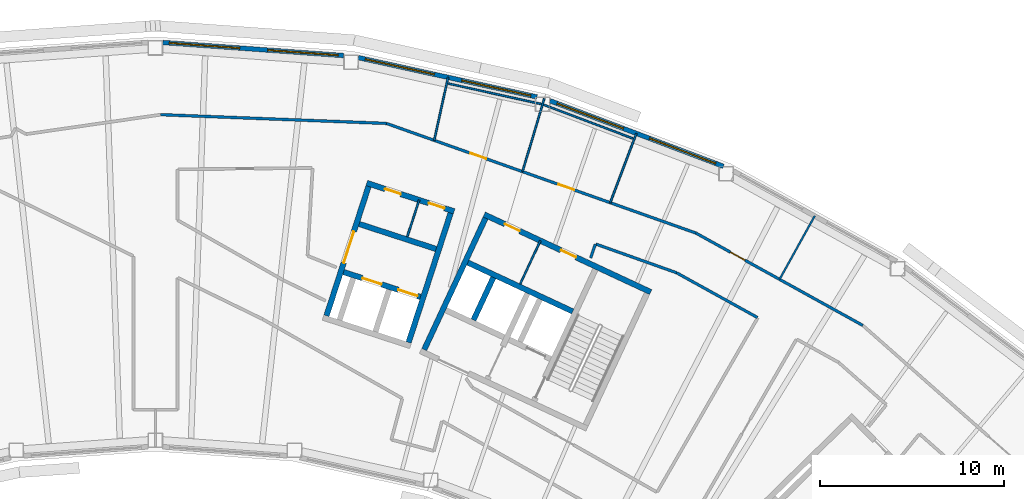
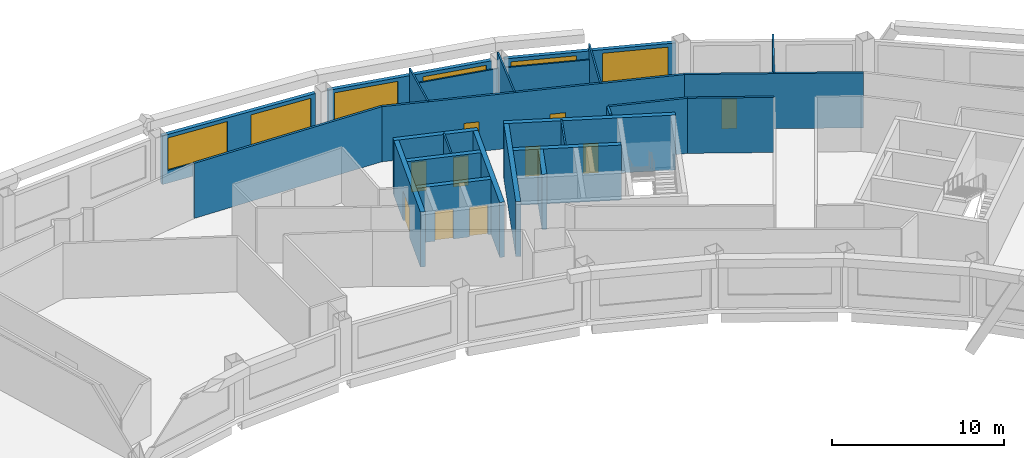
# One storey, part 10 of 13: 26 walls, 10 doors, 6 windows, 16 openings.
"""IFC4 building model written with IfcOpenShell, lengths in metres."""

from ifc_helpers import new_model, si_unit, direction, frame, frame_2d, origin, place, context, subcontext, project, spatial, rectangle, extrude, material, layer, layer_set, type_object, element, fill, save


model = new_model("IFC4")

# Units and contexts
model_context = context("Model", 3, precision=1e-05, world=origin(), true_north=direction((0.0, 1.0)))
body_context = subcontext(model_context, "Body", "Model", "MODEL_VIEW")
ifc_project = project(units=[si_unit("LENGTHUNIT", "METRE"), si_unit("AREAUNIT", "SQUARE_METRE"), si_unit("VOLUMEUNIT", "CUBIC_METRE"), si_unit("PLANEANGLEUNIT", "RADIAN"), si_unit("MASSUNIT", "GRAM", prefix="KILO")], contexts=[model_context])

# Site, building, storey
site_placement = place(None, origin())
site = spatial("IfcSite", under=ifc_project, at=site_placement, CompositionType="ELEMENT")
building_placement = place(site_placement, origin())
building = spatial("IfcBuilding", under=site, at=building_placement, Name="Tuul Gate Civic Tower", CompositionType="ELEMENT")
storey_placement = place(building_placement, frame((0.0, 0.0, 252.60009765625)))
storey = spatial("IfcBuildingStorey", under=building, at=storey_placement, Name="Level 57", CompositionType="ELEMENT", Elevation=252.60009765625)

# Wall
ifc_material_1 = material(Name="Concrete C50/60", Category="concrete")
ifc_layer_1 = layer(ifc_material_1, 0.300048828125)
ifc_layer_set_1 = layer_set([ifc_layer_1], Name="Concrete C50/60")
wall_type_1 = type_object("IfcWallType", Name="Core wall C50/60", PredefinedType="SHEAR", material=ifc_layer_set_1)
wall_1_placement = place(storey_placement, frame((33.75, -0.873779296875, 0.0), z_axis=(0.0, 0.0, 1.0), x_axis=(-0.906300917592, 0.422632992999, 0.0)))
element("IfcWall", 1, at=wall_1_placement, inside=storey, type_object=wall_type_1, Name="Core wall", PredefinedType="SHEAR", context=body_context, shape_type="SweptSolid", body=[
    extrude(rectangle(XDim=6.300048828125, YDim=0.300048828125, at=frame_2d((3.14990234375, 0.0))), origin(), (0.0, 0.0, 1.0), 3.89990234375),
])

# Wall, openings, doors
wall_2_placement = place(storey_placement, frame((37.993408203125, 0.181884765625, 0.0), z_axis=(0.0, 0.0, 1.0), x_axis=(-0.906310338845, 0.422612789327, 0.0)))
wall_2 = element("IfcWall", 2, at=wall_2_placement, inside=storey, type_object=wall_type_1, Name="Core wall", PredefinedType="SHEAR", context=body_context, shape_type="SweptSolid", body=[
    extrude(rectangle(XDim=9.999755859375, YDim=0.300048828125, at=frame_2d((5.0, 0.0))), origin(), (0.0, 0.0, 1.0), 3.89990234375),
])
opening_1_placement = place(wall_2_placement, frame((4.487548828125, 0.0, 0.0)))
opening_1 = element("IfcOpeningElement", 3, at=opening_1_placement, cuts=wall_2, Name="Opening U-D19", PredefinedType="OPENING", context=body_context, shape_type="SweptSolid", body=[
    extrude(rectangle(XDim=0.89990234375, YDim=2.10009765625, at=frame_2d((0.449951171875, 1.050048828125))), frame((0.0, 0.16015625, 0.0), z_axis=(0.0, -1.0, 0.0), x_axis=(1.0, 0.0, 0.0)), (0.0, 0.0, 1.0), 0.320068359375),
])
opening_2_placement = place(wall_2_placement, frame((7.862548828125, 0.0, 0.0)))
opening_2 = element("IfcOpeningElement", 4, at=opening_2_placement, cuts=wall_2, Name="Opening U-D20", PredefinedType="OPENING", context=body_context, shape_type="SweptSolid", body=[
    extrude(rectangle(XDim=0.89990234375, YDim=2.10009765625, at=frame_2d((0.449951171875, 1.050048828125))), frame((0.0, 0.16015625, 0.0), z_axis=(0.0, -1.0, 0.0), x_axis=(1.0, 0.0, 0.0)), (0.0, 0.0, 1.0), 0.320068359375),
])
ifc_material_2 = material(Name="Timber door leaf", Category="wood")
door_type_1 = type_object("IfcDoorType", Name="Door D09", OperationType="NOTDEFINED", PredefinedType="DOOR", material=ifc_material_2)
door_1_placement = place(opening_1_placement, origin())
door_1 = element("IfcDoor", 5, at=door_1_placement, inside=storey, type_object=door_type_1, Name="Door U-D19", OperationType="SINGLE_SWING_LEFT", OverallHeight=2.10009765625, OverallWidth=0.89990234375, PredefinedType="DOOR", context=body_context, shape_type="SweptSolid", body=[
    extrude(rectangle(XDim=0.89990234375, YDim=2.10009765625, at=frame_2d((0.449951171875, 1.050048828125))), frame((0.0, 0.02490234375, 0.0), z_axis=(0.0, -1.0, 0.0), x_axis=(1.0, 0.0, 0.0)), (0.0, 0.0, 1.0), 0.050048828125),
])
fill(opening_1, door_1)
door_2_placement = place(opening_2_placement, origin())
door_2 = element("IfcDoor", 6, at=door_2_placement, inside=storey, type_object=door_type_1, Name="Door U-D20", OperationType="SINGLE_SWING_RIGHT", OverallHeight=2.10009765625, OverallWidth=0.89990234375, PredefinedType="DOOR", context=body_context, shape_type="SweptSolid", body=[
    extrude(rectangle(XDim=0.89990234375, YDim=2.10009765625, at=frame_2d((0.449951171875, 1.050048828125))), frame((0.0, 0.02490234375, 0.0), z_axis=(0.0, -1.0, 0.0), x_axis=(1.0, 0.0, 0.0)), (0.0, 0.0, 1.0), 0.050048828125),
])
fill(opening_2, door_2)

# Walls
wall_3_placement = place(storey_placement, frame((28.349365234375, -1.33447265625, 0.0), z_axis=(0.0, 0.0, 1.0), x_axis=(0.422612891016, 0.906310291427, 0.0)))
element("IfcWall", 7, at=wall_3_placement, inside=storey, type_object=wall_type_1, Name="Core wall", PredefinedType="SHEAR", context=body_context, shape_type="SweptSolid", body=[
    extrude(rectangle(XDim=2.550048828125, YDim=0.300048828125, at=frame_2d((1.27490234375, 0.0))), origin(), (0.0, 0.0, 1.0), 3.89990234375),
])
wall_4_placement = place(storey_placement, frame((25.66455078125, -2.951416015625, 0.0), z_axis=(0.0, 0.0, 1.0), x_axis=(0.422582604137, 0.906324413596, 0.0)))
element("IfcWall", 8, at=wall_4_placement, inside=storey, type_object=wall_type_1, Name="Core wall", PredefinedType="SHEAR", context=body_context, shape_type="SweptSolid", body=[
    extrude(rectangle(XDim=7.89990234375, YDim=0.300048828125, at=frame_2d((3.949951171875, 0.0))), origin(), (0.0, 0.0, 1.0), 3.89990234375),
])

# Wall, opening, door
ifc_material_3 = material(Name="Gypsum board partition")
ifc_layer_2 = layer(ifc_material_3, 0.14990234375)
ifc_layer_set_2 = layer_set([ifc_layer_2], Name="Gypsum board partition")
wall_type_2 = type_object("IfcWallType", Name="Corridor wall P150", PredefinedType="PARTITIONING", material=ifc_layer_set_2)
wall_5_placement = place(storey_placement, frame((40.45458984375, 3.396240234375, 0.0), z_axis=(0.0, 0.0, 1.0), x_axis=(0.874957959381, -0.484198894376, 0.0)))
wall_5 = element("IfcWall", 9, at=wall_5_placement, inside=storey, type_object=wall_type_2, Name="p004", PredefinedType="PARTITIONING", context=body_context, shape_type="SweptSolid", body=[
    extrude(rectangle(XDim=10.38330078125, YDim=0.14990234375, at=frame_2d((5.191650390625, 0.0))), origin(), (0.0, 0.0, 1.0), 3.89990234375),
])
opening_3_placement = place(wall_5_placement, frame((2.1533203125, 0.0, 0.0)))
opening_3 = element("IfcOpeningElement", 10, at=opening_3_placement, cuts=wall_5, Name="Opening U-D02", PredefinedType="OPENING", context=body_context, shape_type="SweptSolid", body=[
    extrude(rectangle(XDim=0.89990234375, YDim=2.10009765625, at=frame_2d((0.449951171875, 1.050048828125))), frame((0.0, 0.0849609375, 0.0), z_axis=(0.0, -1.0, 0.0), x_axis=(1.0, 0.0, 0.0)), (0.0, 0.0, 1.0), 0.169921875),
])
door_3_placement = place(opening_3_placement, origin())
door_3 = element("IfcDoor", 11, at=door_3_placement, inside=storey, type_object=door_type_1, Name="Door U-D02", OperationType="SINGLE_SWING_RIGHT", OverallHeight=2.10009765625, OverallWidth=0.89990234375, PredefinedType="DOOR", context=body_context, shape_type="SweptSolid", body=[
    extrude(rectangle(XDim=0.89990234375, YDim=2.10009765625, at=frame_2d((0.449951171875, 1.050048828125))), frame((0.0, 0.02490234375, 0.0), z_axis=(0.0, -1.0, 0.0), x_axis=(1.0, 0.0, 0.0)), (0.0, 0.0, 1.0), 0.050048828125),
])
fill(opening_3, door_3)

# Wall, openings, doors
wall_6_placement = place(storey_placement, frame((23.607177734375, 9.36474609375, 0.0), z_axis=(0.0, 0.0, 1.0), x_axis=(0.942596771962, -0.333933115289, 0.0)))
wall_6 = element("IfcWall", 12, at=wall_6_placement, inside=storey, type_object=wall_type_2, Name="p010", PredefinedType="PARTITIONING", context=body_context, shape_type="SweptSolid", body=[
    extrude(rectangle(XDim=17.87255859375, YDim=0.14990234375, at=frame_2d((8.936279296875, 0.0))), origin(), (0.0, 0.0, 1.0), 3.89990234375),
])
opening_4_placement = place(wall_6_placement, frame((9.94287109375, 0.0, 0.0)))
opening_4 = element("IfcOpeningElement", 13, at=opening_4_placement, cuts=wall_6, Name="Opening U-D03", PredefinedType="OPENING", context=body_context, shape_type="SweptSolid", body=[
    extrude(rectangle(XDim=0.89990234375, YDim=2.10009765625, at=frame_2d((0.449951171875, 1.050048828125))), frame((0.0, 0.0849609375, 0.0), z_axis=(0.0, -1.0, 0.0), x_axis=(1.0, 0.0, 0.0)), (0.0, 0.0, 1.0), 0.169921875),
])
opening_5_placement = place(wall_6_placement, frame((4.8603515625, 0.0, 0.0)))
opening_5 = element("IfcOpeningElement", 14, at=opening_5_placement, cuts=wall_6, Name="Opening U-D04", PredefinedType="OPENING", context=body_context, shape_type="SweptSolid", body=[
    extrude(rectangle(XDim=0.89990234375, YDim=2.10009765625, at=frame_2d((0.449951171875, 1.050048828125))), frame((0.0, 0.0849609375, 0.0), z_axis=(0.0, -1.0, 0.0), x_axis=(1.0, 0.0, 0.0)), (0.0, 0.0, 1.0), 0.169921875),
])
door_4_placement = place(opening_4_placement, origin())
door_4 = element("IfcDoor", 15, at=door_4_placement, inside=storey, type_object=door_type_1, Name="Door U-D03", OperationType="SINGLE_SWING_RIGHT", OverallHeight=2.10009765625, OverallWidth=0.89990234375, PredefinedType="DOOR", context=body_context, shape_type="SweptSolid", body=[
    extrude(rectangle(XDim=0.89990234375, YDim=2.10009765625, at=frame_2d((0.449951171875, 1.050048828125))), frame((0.0, 0.02490234375, 0.0), z_axis=(0.0, -1.0, 0.0), x_axis=(1.0, 0.0, 0.0)), (0.0, 0.0, 1.0), 0.050048828125),
])
fill(opening_4, door_4)
door_5_placement = place(opening_5_placement, origin())
door_5 = element("IfcDoor", 16, at=door_5_placement, inside=storey, type_object=door_type_1, Name="Door U-D04", OperationType="SINGLE_SWING_RIGHT", OverallHeight=2.10009765625, OverallWidth=0.89990234375, PredefinedType="DOOR", context=body_context, shape_type="SweptSolid", body=[
    extrude(rectangle(XDim=0.89990234375, YDim=2.10009765625, at=frame_2d((0.449951171875, 1.050048828125))), frame((0.0, 0.02490234375, 0.0), z_axis=(0.0, -1.0, 0.0), x_axis=(1.0, 0.0, 0.0)), (0.0, 0.0, 1.0), 0.050048828125),
])
fill(opening_5, door_5)

# Walls
wall_7_placement = place(storey_placement, frame((11.314453125, 9.84130859375, 0.0), z_axis=(0.0, 0.0, 1.0), x_axis=(0.999249372923, -0.038738749497, 0.0)))
element("IfcWall", 17, at=wall_7_placement, inside=storey, type_object=wall_type_2, Name="p014", PredefinedType="PARTITIONING", context=body_context, shape_type="SweptSolid", body=[
    extrude(rectangle(XDim=12.302001953125, YDim=0.14990234375, at=frame_2d((6.15087890625, 0.0))), origin(), (0.0, 0.0, 1.0), 3.89990234375),
])
wall_8_placement = place(storey_placement, frame((39.40771484375, 1.231201171875, 0.0), z_axis=(0.0, 0.0, 1.0), x_axis=(0.875013932783, -0.484097735416, 0.0)))
element("IfcWall", 18, at=wall_8_placement, inside=storey, type_object=wall_type_2, Name="p082", PredefinedType="PARTITIONING", context=body_context, shape_type="SweptSolid", body=[
    extrude(rectangle(XDim=5.033203125, YDim=0.14990234375, at=frame_2d((2.5166015625, 0.0))), origin(), (0.0, 0.0, 1.0), 3.89990234375),
])
wall_9_placement = place(storey_placement, frame((34.724853515625, 2.037841796875, 0.0), z_axis=(0.0, 0.0, 1.0), x_axis=(0.321974815831, 0.946748233677, 0.0)))
element("IfcWall", 19, at=wall_9_placement, inside=storey, type_object=wall_type_2, Name="p085", PredefinedType="PARTITIONING", context=body_context, shape_type="SweptSolid", body=[
    extrude(rectangle(XDim=0.789306640625, YDim=0.14990234375, at=frame_2d((0.39453125, 0.0))), origin(), (0.0, 0.0, 1.0), 3.89990234375),
])
wall_10_placement = place(storey_placement, frame((35.004638671875, 2.797607421875, 0.0), z_axis=(0.0, 0.0, 1.0), x_axis=(0.942256486911, -0.334892091387, 0.0)))
element("IfcWall", 20, at=wall_10_placement, inside=storey, type_object=wall_type_2, Name="p086", PredefinedType="PARTITIONING", context=body_context, shape_type="SweptSolid", body=[
    extrude(rectangle(XDim=4.670166015625, YDim=0.14990234375, at=frame_2d((2.3349609375, 0.0))), origin(), (0.0, 0.0, 1.0), 3.89990234375),
])

# Wall, openings, windows
ifc_material_4 = material(Name="Precast concrete C40/50", Category="concrete")
ifc_layer_3 = layer(ifc_material_4, 0.25)
ifc_layer_set_3 = layer_set([ifc_layer_3], Name="Precast concrete C40/50")
wall_type_3 = type_object("IfcWallType", Name="External wall", PredefinedType="STANDARD", material=ifc_layer_set_3)
wall_11_placement = place(storey_placement, frame((41.954345703125, 7.028076171875, 0.0), z_axis=(0.0, 0.0, 1.0), x_axis=(-0.935343984789, 0.353739494712, 0.0)))
wall_11 = element("IfcWall", 21, at=wall_11_placement, inside=storey, type_object=wall_type_3, Name="External wall", PredefinedType="STANDARD", context=body_context, shape_type="SweptSolid", body=[
    extrude(rectangle(XDim=10.099365234375, YDim=0.25, at=frame_2d((5.0498046875, 0.0))), origin(), (0.0, 0.0, 1.0), 3.449951171875),
])
opening_6_placement = place(wall_11_placement, frame((0.45556640625, 0.0, 0.89990234375)))
opening_6 = element("IfcOpeningElement", 22, at=opening_6_placement, cuts=wall_11, Name="Opening W22", PredefinedType="OPENING", context=body_context, shape_type="SweptSolid", body=[
    extrude(rectangle(XDim=3.85009765625, YDim=2.300048828125, at=frame_2d((1.925048828125, 1.14990234375))), frame((0.0, 0.135009765625, 0.0), z_axis=(0.0, -1.0, 0.0), x_axis=(1.0, 0.0, 0.0)), (0.0, 0.0, 1.0), 0.27001953125),
])
opening_7_placement = place(wall_11_placement, frame((5.826904296875, 0.0, 0.89990234375)))
opening_7 = element("IfcOpeningElement", 23, at=opening_7_placement, cuts=wall_11, Name="Opening W22", PredefinedType="OPENING", context=body_context, shape_type="SweptSolid", body=[
    extrude(rectangle(XDim=3.85009765625, YDim=2.300048828125, at=frame_2d((1.925048828125, 1.14990234375))), frame((0.0, 0.135009765625, 0.0), z_axis=(0.0, -1.0, 0.0), x_axis=(1.0, 0.0, 0.0)), (0.0, 0.0, 1.0), 0.27001953125),
])
ifc_material_5 = material(Name="Glass", Category="glass")
window_type = type_object("IfcWindowType", Name="Window W22 3850 x 2300", PartitioningType="SINGLE_PANEL", PredefinedType="WINDOW", material=ifc_material_5)
window_1_placement = place(opening_6_placement, origin())
window_1 = element("IfcWindow", 24, at=window_1_placement, inside=storey, type_object=window_type, Name="Window", OverallHeight=2.300048828125, OverallWidth=3.85009765625, PartitioningType="SINGLE_PANEL", PredefinedType="WINDOW", context=body_context, shape_type="SweptSolid", body=[
    extrude(rectangle(XDim=3.85009765625, YDim=2.300048828125, at=frame_2d((1.925048828125, 1.14990234375))), frame((0.0, 0.030029296875, 0.0), z_axis=(0.0, -1.0, 0.0), x_axis=(1.0, 0.0, 0.0)), (0.0, 0.0, 1.0), 0.06005859375),
])
fill(opening_6, window_1)
window_2_placement = place(opening_7_placement, origin())
window_2 = element("IfcWindow", 25, at=window_2_placement, inside=storey, type_object=window_type, Name="Window", OverallHeight=2.300048828125, OverallWidth=3.85009765625, PartitioningType="SINGLE_PANEL", PredefinedType="WINDOW", context=body_context, shape_type="SweptSolid", body=[
    extrude(rectangle(XDim=3.85009765625, YDim=2.300048828125, at=frame_2d((1.925048828125, 1.14990234375))), frame((0.0, 0.030029296875, 0.0), z_axis=(0.0, -1.0, 0.0), x_axis=(1.0, 0.0, 0.0)), (0.0, 0.0, 1.0), 0.06005859375),
])
fill(opening_7, window_2)

wall_12_placement = place(storey_placement, frame((31.80029296875, 10.804931640625, 0.0), z_axis=(0.0, 0.0, 1.0), x_axis=(-0.976562454365, 0.215234227585, 0.0)))
wall_12 = element("IfcWall", 26, at=wall_12_placement, inside=storey, type_object=wall_type_3, Name="External wall", PredefinedType="STANDARD", context=body_context, shape_type="SweptSolid", body=[
    extrude(rectangle(XDim=9.95361328125, YDim=0.25, at=frame_2d((4.976806640625, 0.0))), origin(), (0.0, 0.0, 1.0), 3.449951171875),
])
opening_8_placement = place(wall_12_placement, frame((0.34228515625, 0.0, 0.89990234375)))
opening_8 = element("IfcOpeningElement", 27, at=opening_8_placement, cuts=wall_12, Name="Opening W22", PredefinedType="OPENING", context=body_context, shape_type="SweptSolid", body=[
    extrude(rectangle(XDim=3.85009765625, YDim=2.300048828125, at=frame_2d((1.925048828125, 1.14990234375))), frame((0.0, 0.135009765625, 0.0), z_axis=(0.0, -1.0, 0.0), x_axis=(1.0, 0.0, 0.0)), (0.0, 0.0, 1.0), 0.27001953125),
])
opening_9_placement = place(wall_12_placement, frame((5.713623046875, 0.0, 0.89990234375)))
opening_9 = element("IfcOpeningElement", 28, at=opening_9_placement, cuts=wall_12, Name="Opening W22", PredefinedType="OPENING", context=body_context, shape_type="SweptSolid", body=[
    extrude(rectangle(XDim=3.85009765625, YDim=2.300048828125, at=frame_2d((1.925048828125, 1.14990234375))), frame((0.0, 0.135009765625, 0.0), z_axis=(0.0, -1.0, 0.0), x_axis=(1.0, 0.0, 0.0)), (0.0, 0.0, 1.0), 0.27001953125),
])
window_3_placement = place(opening_8_placement, origin())
window_3 = element("IfcWindow", 29, at=window_3_placement, inside=storey, type_object=window_type, Name="Window", OverallHeight=2.300048828125, OverallWidth=3.85009765625, PartitioningType="SINGLE_PANEL", PredefinedType="WINDOW", context=body_context, shape_type="SweptSolid", body=[
    extrude(rectangle(XDim=3.85009765625, YDim=2.300048828125, at=frame_2d((1.925048828125, 1.14990234375))), frame((0.0, 0.030029296875, 0.0), z_axis=(0.0, -1.0, 0.0), x_axis=(1.0, 0.0, 0.0)), (0.0, 0.0, 1.0), 0.06005859375),
])
fill(opening_8, window_3)
window_4_placement = place(opening_9_placement, origin())
window_4 = element("IfcWindow", 30, at=window_4_placement, inside=storey, type_object=window_type, Name="Window", OverallHeight=2.300048828125, OverallWidth=3.85009765625, PartitioningType="SINGLE_PANEL", PredefinedType="WINDOW", context=body_context, shape_type="SweptSolid", body=[
    extrude(rectangle(XDim=3.85009765625, YDim=2.300048828125, at=frame_2d((1.925048828125, 1.14990234375))), frame((0.0, 0.030029296875, 0.0), z_axis=(0.0, -1.0, 0.0), x_axis=(1.0, 0.0, 0.0)), (0.0, 0.0, 1.0), 0.06005859375),
])
fill(opening_9, window_4)

wall_13_placement = place(storey_placement, frame((21.280029296875, 13.057373046875, 0.0), z_axis=(0.0, 0.0, 1.0), x_axis=(-0.99738717169, 0.072241468338, 0.0)))
wall_13 = element("IfcWall", 31, at=wall_13_placement, inside=storey, type_object=wall_type_3, Name="External wall", PredefinedType="STANDARD", context=body_context, shape_type="SweptSolid", body=[
    extrude(rectangle(XDim=9.875, YDim=0.25, at=frame_2d((4.9375, 0.0))), origin(), (0.0, 0.0, 1.0), 3.449951171875),
])
opening_10_placement = place(wall_13_placement, frame((0.303466796875, 0.0, 0.89990234375)))
opening_10 = element("IfcOpeningElement", 32, at=opening_10_placement, cuts=wall_13, Name="Opening W22", PredefinedType="OPENING", context=body_context, shape_type="SweptSolid", body=[
    extrude(rectangle(XDim=3.85009765625, YDim=2.300048828125, at=frame_2d((1.925048828125, 1.14990234375))), frame((0.0, 0.135009765625, 0.0), z_axis=(0.0, -1.0, 0.0), x_axis=(1.0, 0.0, 0.0)), (0.0, 0.0, 1.0), 0.27001953125),
])
opening_11_placement = place(wall_13_placement, frame((5.67431640625, 0.0, 0.89990234375)))
opening_11 = element("IfcOpeningElement", 33, at=opening_11_placement, cuts=wall_13, Name="Opening W22", PredefinedType="OPENING", context=body_context, shape_type="SweptSolid", body=[
    extrude(rectangle(XDim=3.85009765625, YDim=2.300048828125, at=frame_2d((1.925048828125, 1.14990234375))), frame((0.0, 0.135009765625, 0.0), z_axis=(0.0, -1.0, 0.0), x_axis=(1.0, 0.0, 0.0)), (0.0, 0.0, 1.0), 0.27001953125),
])
window_5_placement = place(opening_10_placement, origin())
window_5 = element("IfcWindow", 34, at=window_5_placement, inside=storey, type_object=window_type, Name="Window", OverallHeight=2.300048828125, OverallWidth=3.85009765625, PartitioningType="SINGLE_PANEL", PredefinedType="WINDOW", context=body_context, shape_type="SweptSolid", body=[
    extrude(rectangle(XDim=3.85009765625, YDim=2.300048828125, at=frame_2d((1.925048828125, 1.14990234375))), frame((0.0, 0.030029296875, 0.0), z_axis=(0.0, -1.0, 0.0), x_axis=(1.0, 0.0, 0.0)), (0.0, 0.0, 1.0), 0.06005859375),
])
fill(opening_10, window_5)
window_6_placement = place(opening_11_placement, origin())
window_6 = element("IfcWindow", 35, at=window_6_placement, inside=storey, type_object=window_type, Name="Window", OverallHeight=2.300048828125, OverallWidth=3.85009765625, PartitioningType="SINGLE_PANEL", PredefinedType="WINDOW", context=body_context, shape_type="SweptSolid", body=[
    extrude(rectangle(XDim=3.85009765625, YDim=2.300048828125, at=frame_2d((1.925048828125, 1.14990234375))), frame((0.0, 0.030029296875, 0.0), z_axis=(0.0, -1.0, 0.0), x_axis=(1.0, 0.0, 0.0)), (0.0, 0.0, 1.0), 0.06005859375),
])
fill(opening_11, window_6)

# Wall, openings, doors
ifc_material_6 = material(Name="Concrete C40/50", Category="concrete")
ifc_layer_4 = layer(ifc_material_6, 0.300048828125)
ifc_layer_set_4 = layer_set([ifc_layer_4], Name="Concrete C40/50")
wall_type_4 = type_object("IfcWallType", Name="Lift shaft wall C40/50", PredefinedType="STANDARD", material=ifc_layer_set_4)
wall_14_placement = place(storey_placement, frame((25.460693359375, -0.0859375, 0.0), z_axis=(0.0, 0.0, 1.0), x_axis=(-0.951063829732, 0.308994485023, 0.0)))
wall_14 = element("IfcWall", 36, at=wall_14_placement, inside=storey, type_object=wall_type_4, Name="Shaft wall", PredefinedType="STANDARD", context=body_context, shape_type="SweptSolid", body=[
    extrude(rectangle(XDim=4.400146484375, YDim=0.300048828125, at=frame_2d((2.2001953125, 0.0))), origin(), (0.0, 0.0, 1.0), 3.89990234375),
])
opening_12_placement = place(wall_14_placement, frame((0.175048828125, 0.0, 0.0)))
opening_12 = element("IfcOpeningElement", 37, at=opening_12_placement, cuts=wall_14, Name="Opening LD-H2", PredefinedType="OPENING", context=body_context, shape_type="SweptSolid", body=[
    extrude(rectangle(XDim=1.10009765625, YDim=2.10009765625, at=frame_2d((0.550048828125, 1.050048828125))), frame((0.0, 0.16015625, 0.0), z_axis=(0.0, -1.0, 0.0), x_axis=(1.0, 0.0, 0.0)), (0.0, 0.0, 1.0), 0.320068359375),
])
opening_13_placement = place(wall_14_placement, frame((2.22509765625, 0.0, 0.0)))
opening_13 = element("IfcOpeningElement", 38, at=opening_13_placement, cuts=wall_14, Name="Opening LD-H3", PredefinedType="OPENING", context=body_context, shape_type="SweptSolid", body=[
    extrude(rectangle(XDim=1.10009765625, YDim=2.10009765625, at=frame_2d((0.550048828125, 1.050048828125))), frame((0.0, 0.16015625, 0.0), z_axis=(0.0, -1.0, 0.0), x_axis=(1.0, 0.0, 0.0)), (0.0, 0.0, 1.0), 0.320068359375),
])
ifc_material_7 = material(Name="Stainless steel", Category="steel")
door_type_2 = type_object("IfcDoorType", Name="Landing door", OperationType="DOUBLE_DOOR_SLIDING", PredefinedType="DOOR", material=ifc_material_7)
door_6_placement = place(opening_12_placement, origin())
door_6 = element("IfcDoor", 39, at=door_6_placement, inside=storey, type_object=door_type_2, Name="High-rise lift H2 landing door", OperationType="DOUBLE_DOOR_SLIDING", OverallHeight=2.10009765625, OverallWidth=1.10009765625, PredefinedType="DOOR", context=body_context, shape_type="SweptSolid", body=[
    extrude(rectangle(XDim=1.10009765625, YDim=2.10009765625, at=frame_2d((0.550048828125, 1.050048828125))), frame((0.0, 0.02490234375, 0.0), z_axis=(0.0, -1.0, 0.0), x_axis=(1.0, 0.0, 0.0)), (0.0, 0.0, 1.0), 0.050048828125),
])
fill(opening_12, door_6)
door_7_placement = place(opening_13_placement, origin())
door_7 = element("IfcDoor", 40, at=door_7_placement, inside=storey, type_object=door_type_2, Name="High-rise lift H3 landing door", OperationType="DOUBLE_DOOR_SLIDING", OverallHeight=2.10009765625, OverallWidth=1.10009765625, PredefinedType="DOOR", context=body_context, shape_type="SweptSolid", body=[
    extrude(rectangle(XDim=1.10009765625, YDim=2.10009765625, at=frame_2d((0.550048828125, 1.050048828125))), frame((0.0, 0.02490234375, 0.0), z_axis=(0.0, -1.0, 0.0), x_axis=(1.0, 0.0, 0.0)), (0.0, 0.0, 1.0), 0.050048828125),
])
fill(opening_13, door_7)

# Wall
wall_15_placement = place(storey_placement, frame((26.310546875, 2.529541015625, 0.0), z_axis=(0.0, 0.0, 1.0), x_axis=(-0.951058531764, 0.30901079133, 0.0)))
element("IfcWall", 41, at=wall_15_placement, inside=storey, type_object=wall_type_4, Name="Shaft wall", PredefinedType="STANDARD", context=body_context, shape_type="SweptSolid", body=[
    extrude(rectangle(XDim=4.39990234375, YDim=0.300048828125, at=frame_2d((2.199951171875, 0.0))), origin(), (0.0, 0.0, 1.0), 3.89990234375),
])

# Wall, openings, doors
wall_16_placement = place(storey_placement, frame((27.29150390625, 4.57666015625, 0.0), z_axis=(0.0, 0.0, 1.0), x_axis=(-0.951067792613, 0.308982287281, 0.0)))
wall_16 = element("IfcWall", 42, at=wall_16_placement, inside=storey, type_object=wall_type_4, Name="Shaft wall", PredefinedType="STANDARD", context=body_context, shape_type="SweptSolid", body=[
    extrude(rectangle(XDim=5.0, YDim=0.300048828125, at=frame_2d((2.5, 0.0))), origin(), (0.0, 0.0, 1.0), 3.89990234375),
])
opening_14_placement = place(wall_16_placement, frame((0.550048828125, 0.0, 0.0)))
opening_14 = element("IfcOpeningElement", 43, at=opening_14_placement, cuts=wall_16, Name="Opening U-D21", PredefinedType="OPENING", context=body_context, shape_type="SweptSolid", body=[
    extrude(rectangle(XDim=0.89990234375, YDim=2.10009765625, at=frame_2d((0.449951171875, 1.050048828125))), frame((0.0, 0.16015625, 0.0), z_axis=(0.0, -1.0, 0.0), x_axis=(1.0, 0.0, 0.0)), (0.0, 0.0, 1.0), 0.320068359375),
])
opening_15_placement = place(wall_16_placement, frame((3.050048828125, 0.0, 0.0)))
opening_15 = element("IfcOpeningElement", 44, at=opening_15_placement, cuts=wall_16, Name="Opening U-D22", PredefinedType="OPENING", context=body_context, shape_type="SweptSolid", body=[
    extrude(rectangle(XDim=0.89990234375, YDim=2.10009765625, at=frame_2d((0.449951171875, 1.050048828125))), frame((0.0, 0.16015625, 0.0), z_axis=(0.0, -1.0, 0.0), x_axis=(1.0, 0.0, 0.0)), (0.0, 0.0, 1.0), 0.320068359375),
])
door_8_placement = place(opening_14_placement, origin())
door_8 = element("IfcDoor", 45, at=door_8_placement, inside=storey, type_object=door_type_1, Name="Door U-D21", OperationType="SINGLE_SWING_LEFT", OverallHeight=2.10009765625, OverallWidth=0.89990234375, PredefinedType="DOOR", context=body_context, shape_type="SweptSolid", body=[
    extrude(rectangle(XDim=0.89990234375, YDim=2.10009765625, at=frame_2d((0.449951171875, 1.050048828125))), frame((0.0, 0.02490234375, 0.0), z_axis=(0.0, -1.0, 0.0), x_axis=(1.0, 0.0, 0.0)), (0.0, 0.0, 1.0), 0.050048828125),
])
fill(opening_14, door_8)
door_9_placement = place(opening_15_placement, origin())
door_9 = element("IfcDoor", 46, at=door_9_placement, inside=storey, type_object=door_type_1, Name="Door U-D22", OperationType="SINGLE_SWING_RIGHT", OverallHeight=2.10009765625, OverallWidth=0.89990234375, PredefinedType="DOOR", context=body_context, shape_type="SweptSolid", body=[
    extrude(rectangle(XDim=0.89990234375, YDim=2.10009765625, at=frame_2d((0.449951171875, 1.050048828125))), frame((0.0, 0.02490234375, 0.0), z_axis=(0.0, -1.0, 0.0), x_axis=(1.0, 0.0, 0.0)), (0.0, 0.0, 1.0), 0.050048828125),
])
fill(opening_15, door_9)

# Wall
wall_17_placement = place(storey_placement, frame((24.815185546875, -2.557373046875, 0.0), z_axis=(0.0, 0.0, 1.0), x_axis=(0.30907264409, 0.951038432807, 0.0)))
element("IfcWall", 47, at=wall_17_placement, inside=storey, type_object=wall_type_4, Name="Shaft wall", PredefinedType="STANDARD", context=body_context, shape_type="SweptSolid", body=[
    extrude(rectangle(XDim=7.39990234375, YDim=0.300048828125, at=frame_2d((3.699951171875, 0.0))), origin(), (0.0, 0.0, 1.0), 3.89990234375),
])

# Wall, opening, door
wall_18_placement = place(storey_placement, frame((20.34521484375, -1.10498046875, 0.0), z_axis=(0.0, 0.0, 1.0), x_axis=(0.30907264409, 0.951038432807, 0.0)))
wall_18 = element("IfcWall", 48, at=wall_18_placement, inside=storey, type_object=wall_type_4, Name="Shaft wall", PredefinedType="STANDARD", context=body_context, shape_type="SweptSolid", body=[
    extrude(rectangle(XDim=7.39990234375, YDim=0.300048828125, at=frame_2d((3.699951171875, 0.0))), origin(), (0.0, 0.0, 1.0), 3.89990234375),
])
opening_16_placement = place(wall_18_placement, frame((3.02490234375, 0.0, 0.0)))
opening_16 = element("IfcOpeningElement", 49, at=opening_16_placement, cuts=wall_18, Name="Opening LB-E4-LOBBY-1", PredefinedType="OPENING", context=body_context, shape_type="SweptSolid", body=[
    extrude(rectangle(XDim=1.800048828125, YDim=2.10009765625, at=frame_2d((0.89990234375, 1.050048828125))), frame((0.0, 0.16015625, 0.0), z_axis=(0.0, -1.0, 0.0), x_axis=(1.0, 0.0, 0.0)), (0.0, 0.0, 1.0), 0.320068359375),
])
ifc_material_8 = material(Name="Steel", Category="steel")
door_type_3 = type_object("IfcDoorType", Name="Lobby door", OperationType="DOUBLE_DOOR_SINGLE_SWING", PredefinedType="DOOR", material=ifc_material_8)
door_10_placement = place(opening_16_placement, frame((1.800048828125, 0.0, 0.0), z_axis=(0.0, 0.0, 1.0), x_axis=(-1.0, 0.0, 0.0)))
door_10 = element("IfcDoor", 50, at=door_10_placement, inside=storey, type_object=door_type_3, Name="Lobby door E4-LOBBY", OperationType="DOUBLE_DOOR_SINGLE_SWING", OverallHeight=2.10009765625, OverallWidth=1.800048828125, PredefinedType="DOOR", context=body_context, shape_type="SweptSolid", body=[
    extrude(rectangle(XDim=1.800048828125, YDim=2.10009765625, at=frame_2d((0.900146484375, 1.050048828125))), frame((0.0, 0.02490234375, 0.0), z_axis=(0.0, -1.0, 0.0), x_axis=(1.0, 0.0, 0.0)), (0.0, 0.0, 1.0), 0.050048828125),
])
fill(opening_16, door_10)

# Walls
ifc_material_9 = material(Name="Gypsum board partition")
ifc_layer_5 = layer(ifc_material_9, 0.10009765625)
ifc_layer_set_5 = layer_set([ifc_layer_5], Name="Gypsum board partition")
wall_type_5 = type_object("IfcWallType", Name="Partition P100", PredefinedType="PARTITIONING", material=ifc_layer_set_5)
wall_19_placement = place(storey_placement, frame((45.010009765625, 0.87548828125, 0.0), z_axis=(0.0, 0.0, 1.0), x_axis=(0.484760482197, 0.874646943, 0.0)))
element("IfcWall", 51, at=wall_19_placement, inside=storey, type_object=wall_type_5, Name="p001", PredefinedType="PARTITIONING", context=body_context, shape_type="SweptSolid", body=[
    extrude(rectangle(XDim=3.947509765625, YDim=0.10009765625, at=frame_2d((1.9736328125, 0.0))), origin(), (0.0, 0.0, 1.0), 3.89990234375),
])
wall_20_placement = place(storey_placement, frame((35.789794921875, 5.048828125, 0.0), z_axis=(0.0, 0.0, 1.0), x_axis=(0.35373338214, 0.935346296491, 0.0)))
element("IfcWall", 52, at=wall_20_placement, inside=storey, type_object=wall_type_5, Name="p009", PredefinedType="PARTITIONING", context=body_context, shape_type="SweptSolid", body=[
    extrude(rectangle(XDim=4.036865234375, YDim=0.10009765625, at=frame_2d((2.0185546875, 0.0))), origin(), (0.0, 0.0, 1.0), 3.89990234375),
])
wall_21_placement = place(storey_placement, frame((31.016845703125, 6.73974609375, 0.0), z_axis=(0.0, 0.0, 1.0), x_axis=(0.285244597565, 0.958454756136, 0.0)))
element("IfcWall", 53, at=wall_21_placement, inside=storey, type_object=wall_type_5, Name="p011", PredefinedType="PARTITIONING", context=body_context, shape_type="SweptSolid", body=[
    extrude(rectangle(XDim=4.154541015625, YDim=0.10009765625, at=frame_2d((2.0771484375, 0.0))), origin(), (0.0, 0.0, 1.0), 3.89990234375),
])
wall_22_placement = place(storey_placement, frame((26.20849609375, 8.443115234375, 0.0), z_axis=(0.0, 0.0, 1.0), x_axis=(0.215179776516, 0.976574453781, 0.0)))
element("IfcWall", 54, at=wall_22_placement, inside=storey, type_object=wall_type_5, Name="p012", PredefinedType="PARTITIONING", context=body_context, shape_type="SweptSolid", body=[
    extrude(rectangle(XDim=3.514892578125, YDim=0.10009765625, at=frame_2d((1.75732421875, 0.0))), origin(), (0.0, 0.0, 1.0), 3.89990234375),
])
wall_23_placement = place(storey_placement, frame((30.890380859375, 0.625, 0.0), z_axis=(0.0, 0.0, 1.0), x_axis=(0.422597606916, 0.906317418253, 0.0)))
element("IfcWall", 55, at=wall_23_placement, inside=storey, type_object=wall_type_5, Name="bE3-BAND-0", PredefinedType="PARTITIONING", context=body_context, shape_type="SweptSolid", body=[
    extrude(rectangle(XDim=2.600341796875, YDim=0.10009765625, at=frame_2d((1.30029296875, 0.0))), origin(), (0.0, 0.0, 1.0), 3.89990234375),
])
wall_24_placement = place(storey_placement, frame((24.740234375, 3.197509765625, 0.0), z_axis=(0.0, 0.0, 1.0), x_axis=(0.309138649025, 0.951016979701, 0.0)))
element("IfcWall", 56, at=wall_24_placement, inside=storey, type_object=wall_type_5, Name="bE4-BAND-0", PredefinedType="PARTITIONING", context=body_context, shape_type="SweptSolid", body=[
    extrude(rectangle(XDim=2.099853515625, YDim=0.10009765625, at=frame_2d((1.0498046875, 0.0))), origin(), (0.0, 0.0, 1.0), 3.89990234375),
])
ifc_material_10 = material(Name="Gypsum board partition")
ifc_layer_6 = layer(ifc_material_10, 0.10009765625)
ifc_layer_set_6 = layer_set([ifc_layer_6], Name="Gypsum board partition")
wall_type_6 = type_object("IfcWallType", Name="Partition P100 3000 HIGH", PredefinedType="PARTITIONING", material=ifc_layer_set_6)
for number, where, z_axis, x_axis, name in (
    (57, (32.107421875, 10.404541015625, 0.0), (0.0, 0.0, 1.0), (0.935346381606, -0.353733157078, 0.0), "p092"),
    (58, (26.893798828125, 11.553466796875, 0.0), (0.0, 0.0, 1.0), (0.976568596011, -0.215206359767, 0.0), "p093"),
):
    element("IfcWall", number, at=place(storey_placement, frame(where, z_axis=z_axis, x_axis=x_axis)), inside=storey, type_object=wall_type_6, Name=name, PredefinedType="PARTITIONING", context=body_context, shape_type="SweptSolid", body=[
        extrude(rectangle(XDim=5.338623046875, YDim=0.10009765625, at=frame_2d((2.66943359375, 0.0))), origin(), (0.0, 0.0, 1.0), 3.0),
    ])

save(model, "model.ifc")
